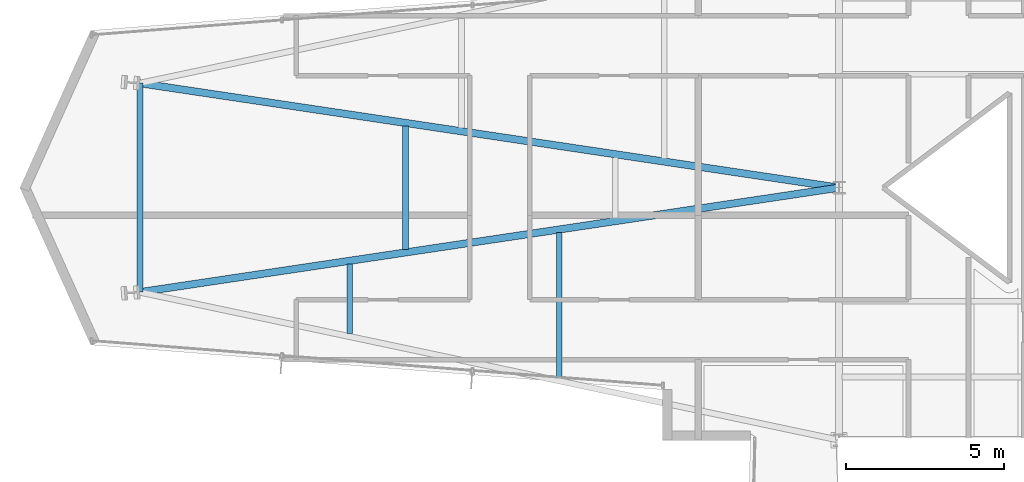
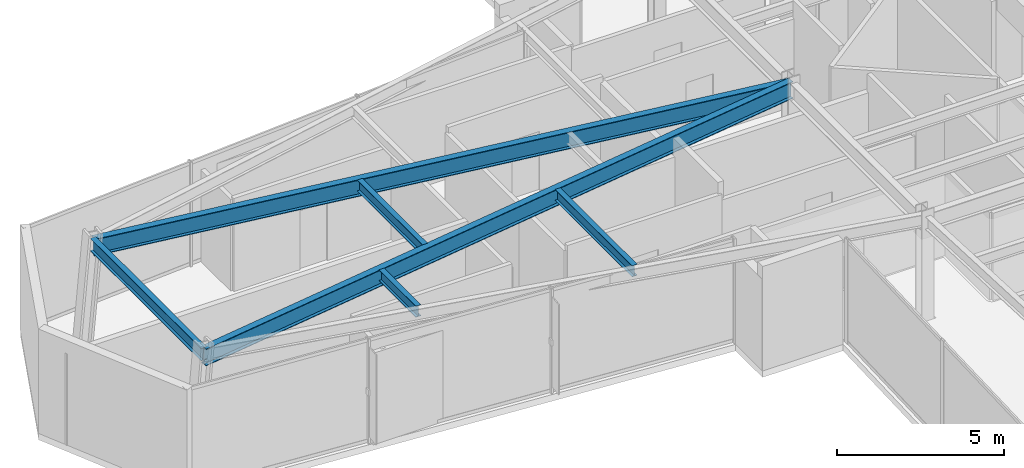
# One storey, part 8 of 31: 6 beams.
"""IFC4 building model written with IfcOpenShell, lengths in metres."""

from ifc_helpers import new_model, si_unit, direction, frame, origin, origin_2d, place, context, subcontext, project, spatial, i_section, extrude, material, material_profile, profile_set, type_object, element, save


model = new_model("IFC4")

# Units and contexts
model_context = context("Model", 3, precision=1e-05, world=origin(), true_north=direction((0.0, 1.0)))
body_context = subcontext(model_context, "Body", "Model", "MODEL_VIEW")
ifc_project = project(units=[si_unit("LENGTHUNIT", "METRE"), si_unit("AREAUNIT", "SQUARE_METRE"), si_unit("VOLUMEUNIT", "CUBIC_METRE"), si_unit("PLANEANGLEUNIT", "RADIAN"), si_unit("MASSUNIT", "GRAM", prefix="KILO")], contexts=[model_context])

# Site, building, storey
site_placement = place(None, origin())
site = spatial("IfcSite", under=ifc_project, at=site_placement, CompositionType="ELEMENT")
building_placement = place(site_placement, origin())
building = spatial("IfcBuilding", under=site, at=building_placement, Name="Veymaron Broadcast Tower", CompositionType="ELEMENT")
storey_placement = place(building_placement, frame((0.0, 0.0, 70.199951171875)))
storey = spatial("IfcBuildingStorey", under=building, at=storey_placement, Name="L15", CompositionType="ELEMENT", Elevation=70.199951171875)

# Beams
ifc_material = material(Name="Structural steel ASTM A992 Gr 50", Category="steel")
ifc_material_profile_1 = material_profile(ifc_material, i_section(OverallWidth=0.22998046875, OverallDepth=0.616943359375, WebThickness=0.01318359375, FlangeThickness=0.022216796875, at=origin_2d()), Name="W610X140")
ifc_profile_set_1 = profile_set([ifc_material_profile_1], Name="Structural steel ASTM A992 Gr 50")
beam_type_1 = type_object("IfcBeamType", Name="BM-FG1", PredefinedType="BEAM", material=ifc_profile_set_1)
for number, where, z_axis, x_axis, name in (
    (1, (9.0419921875, 20.68994140625, 3.50146484375), (0.989025456766, 0.147745205906, 0.0), (-0.147745205906, 0.989025456766, 0.0), "L15 primary structural floor girder"),
    (2, (9.0419921875, 27.31005859375, 3.50146484375), (0.989025456766, -0.147745205906, 0.0), (0.147745205906, 0.989025456766, 0.0), "L15 primary structural floor girder"),
):
    element("IfcBeam", number, at=place(storey_placement, frame(where, z_axis=z_axis, x_axis=x_axis)), inside=storey, type_object=beam_type_1, Name=name, PredefinedType="BEAM", context=body_context, shape_type="SweptSolid", body=[
        extrude(i_section(OverallWidth=0.22998046875, OverallDepth=0.616943359375, WebThickness=0.01318359375, FlangeThickness=0.022216796875, at=origin_2d()), origin(), (0.0, 0.0, 1.0), 22.40380859375),
    ])
ifc_material_profile_2 = material_profile(ifc_material, i_section(OverallWidth=0.177978515625, OverallDepth=0.406982421875, WebThickness=0.0078125, FlangeThickness=0.0126953125, at=origin_2d()), Name="W410X60")
ifc_profile_set_2 = profile_set([ifc_material_profile_2], Name="Structural steel ASTM A992 Gr 50")
beam_type_2 = type_object("IfcBeamType", Name="BM-JS1", PredefinedType="JOIST", material=ifc_profile_set_2)
beam_1_placement = place(storey_placement, frame((15.689453125, 19.383056640625, 3.6064453125), z_axis=(0.0, 1.0, 0.0), x_axis=(-1.0, 0.0, 0.0)))
element("IfcBeam", 3, at=beam_1_placement, inside=storey, type_object=beam_type_2, Name="L15 Arm-A secondary joist 1S", PredefinedType="JOIST", context=body_context, shape_type="SweptSolid", body=[
    extrude(i_section(OverallWidth=0.177978515625, OverallDepth=0.406982421875, WebThickness=0.0078125, FlangeThickness=0.0126953125, at=origin_2d()), origin(), (0.0, 0.0, 1.0), 2.199951171875),
])
beam_2_placement = place(storey_placement, frame((17.4619140625, 22.0478515625, 3.6064453125), z_axis=(0.0, 1.0, 0.0), x_axis=(-1.0, 0.0, 0.0)))
element("IfcBeam", 4, at=beam_2_placement, inside=storey, type_object=beam_type_2, Name="L15 Arm-A secondary joist 1M", PredefinedType="JOIST", context=body_context, shape_type="SweptSolid", body=[
    extrude(i_section(OverallWidth=0.177978515625, OverallDepth=0.406982421875, WebThickness=0.0078125, FlangeThickness=0.0126953125, at=origin_2d()), origin(), (0.0, 0.0, 1.0), 3.904296875),
])
beam_3_placement = place(storey_placement, frame((22.3369140625, 17.97607421875, 3.6064453125), z_axis=(0.0, 1.0, 0.0), x_axis=(-1.0, 0.0, 0.0)))
element("IfcBeam", 5, at=beam_3_placement, inside=storey, type_object=beam_type_2, Name="L15 Arm-A secondary joist 2S", PredefinedType="JOIST", context=body_context, shape_type="SweptSolid", body=[
    extrude(i_section(OverallWidth=0.177978515625, OverallDepth=0.406982421875, WebThickness=0.0078125, FlangeThickness=0.0126953125, at=origin_2d()), origin(), (0.0, 0.0, 1.0), 4.599853515625),
])
ifc_material_profile_3 = material_profile(ifc_material, i_section(OverallWidth=0.19091796875, OverallDepth=0.4599609375, WebThickness=0.010009765625, FlangeThickness=0.01611328125, at=origin_2d()), Name="W460X82")
ifc_profile_set_3 = profile_set([ifc_material_profile_3], Name="Structural steel ASTM A992 Gr 50")
beam_type_3 = type_object("IfcBeamType", Name="BM-SP1", PredefinedType="SPANDREL", material=ifc_profile_set_3)
beam_4_placement = place(storey_placement, frame((9.0419921875, 20.68994140625, 3.580078125), z_axis=(0.0, 1.0, 0.0), x_axis=(-1.0, 0.0, 0.0)))
element("IfcBeam", 6, at=beam_4_placement, inside=storey, type_object=beam_type_3, Name="L15 primary structural floor girder", PredefinedType="SPANDREL", context=body_context, shape_type="SweptSolid", body=[
    extrude(i_section(OverallWidth=0.19091796875, OverallDepth=0.4599609375, WebThickness=0.010009765625, FlangeThickness=0.01611328125, at=origin_2d()), origin(), (0.0, 0.0, 1.0), 6.6201171875),
])

save(model, "model.ifc")
